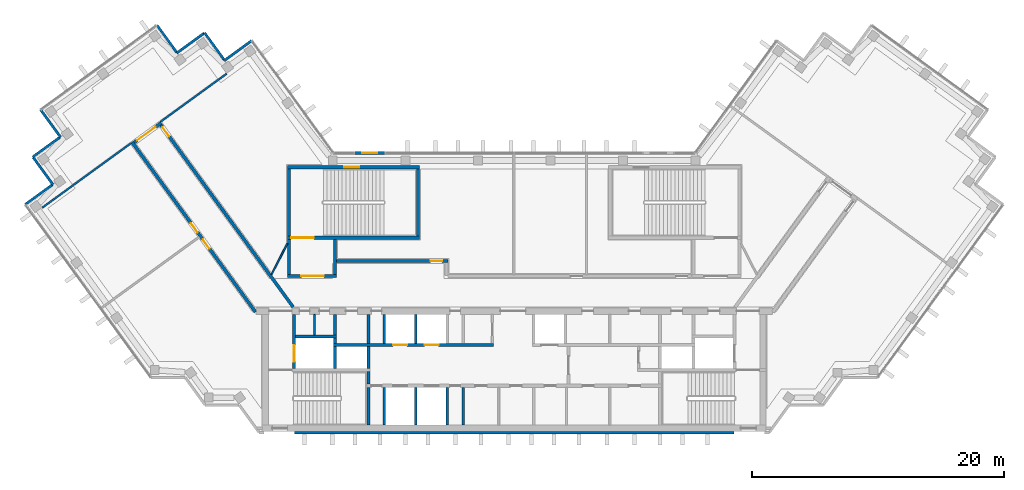
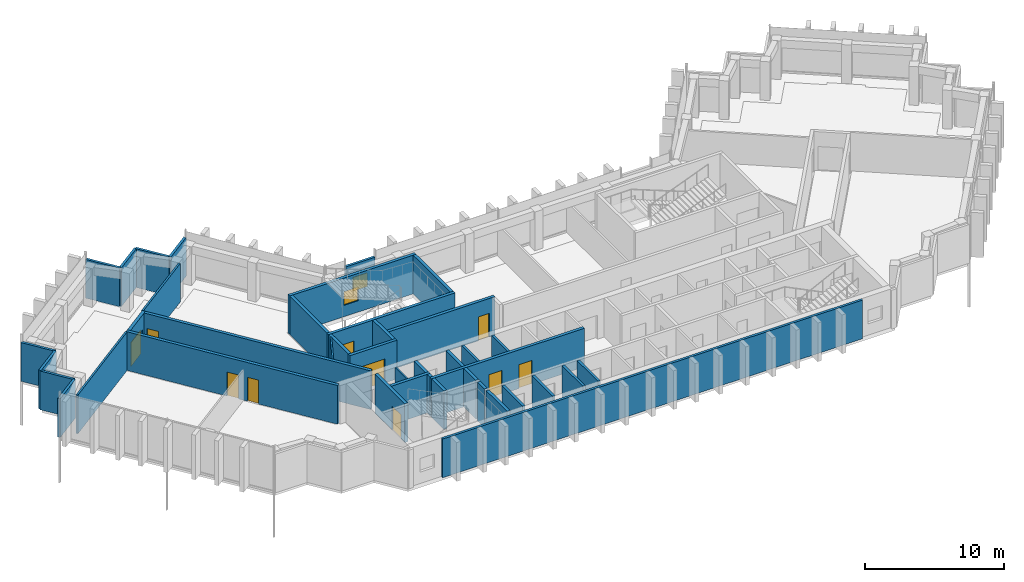
# One storey, part 8 of 13: 41 walls, 10 doors, 2 windows, 12 openings.
"""IFC4 building model written with IfcOpenShell, lengths in metres."""

from ifc_helpers import new_model, si_unit, direction, frame, frame_2d, origin, place, context, subcontext, project, spatial, rectangle, extrude, material, layer, layer_set, type_object, element, fill, save


model = new_model("IFC4")

# Units and contexts
model_context = context("Model", 3, precision=1e-05, world=origin(), true_north=direction((0.0, 1.0)))
body_context = subcontext(model_context, "Body", "Model", "MODEL_VIEW")
ifc_project = project(units=[si_unit("LENGTHUNIT", "METRE"), si_unit("AREAUNIT", "SQUARE_METRE"), si_unit("VOLUMEUNIT", "CUBIC_METRE"), si_unit("PLANEANGLEUNIT", "RADIAN"), si_unit("MASSUNIT", "GRAM", prefix="KILO")], contexts=[model_context])

# Site, building, storey
site_placement = place(None, origin())
site = spatial("IfcSite", under=ifc_project, at=site_placement, CompositionType="ELEMENT")
building_placement = place(site_placement, origin())
building = spatial("IfcBuilding", under=site, at=building_placement, Name="Quipu Civic Tower", CompositionType="ELEMENT")
storey_placement = place(building_placement, frame((0.0, 0.0, 297.0)))
storey = spatial("IfcBuildingStorey", under=building, at=storey_placement, Name="L69", CompositionType="ELEMENT", Elevation=297.0)

# Walls
ifc_material_1 = material(Name="Double gypsum plasterboard with mineral wool")
ifc_layer_1 = layer(ifc_material_1, 0.14990234375)
ifc_layer_set_1 = layer_set([ifc_layer_1], Name="Double gypsum plasterboard with mineral wool")
wall_type_1 = type_object("IfcWallType", Name="Acoustic partition 150 plasterboard", PredefinedType="PARTITIONING", material=ifc_layer_set_1)
wall_1_placement = place(storey_placement, frame((-22.818359375, 17.39599609375, 0.0), z_axis=(0.0, 0.0, 1.0), x_axis=(-0.809000932727, -0.587807358619, 0.0)))
element("IfcWall", 1, at=wall_1_placement, inside=storey, type_object=wall_type_1, Name="Partition P03", PredefinedType="PARTITIONING", context=body_context, shape_type="SweptSolid", body=[
    extrude(rectangle(XDim=6.49560546875, YDim=0.14990234375, at=frame_2d((3.247802734375, 0.0))), origin(), (0.0, 0.0, 1.0), 3.39990234375),
])
wall_2_placement = place(storey_placement, frame((-30.419189453125, 11.873779296875, 0.0), z_axis=(0.0, 0.0, 1.0), x_axis=(-0.809016295501, -0.587786214209, 0.0)))
element("IfcWall", 2, at=wall_2_placement, inside=storey, type_object=wall_type_1, Name="Partition P06", PredefinedType="PARTITIONING", context=body_context, shape_type="SweptSolid", body=[
    extrude(rectangle(XDim=8.700439453125, YDim=0.14990234375, at=frame_2d((4.35009765625, 0.0))), origin(), (0.0, 0.0, 1.0), 3.39990234375),
])
ifc_material_2 = material(Name="Concrete C70/85", Category="concrete")
ifc_layer_2 = layer(ifc_material_2, 0.25)
ifc_layer_set_2 = layer_set([ifc_layer_2], Name="Concrete C70/85")
wall_type_2 = type_object("IfcWallType", Name="Core wall 250", PredefinedType="SHEAR", material=ifc_layer_set_2)
wall_3_placement = place(storey_placement, frame((-11.574951171875, -10.5, 0.0), z_axis=(0.0, 0.0, 1.0), x_axis=(0.0, 1.0, 0.0)))
element("IfcWall", 3, at=wall_3_placement, inside=storey, type_object=wall_type_2, Name="Core wall", PredefinedType="SHEAR", context=body_context, shape_type="SweptSolid", body=[
    extrude(rectangle(XDim=3.0, YDim=0.25, at=frame_2d((1.5, 0.0))), origin(), (0.0, 0.0, 1.0), 3.39990234375),
])
wall_4_placement = place(storey_placement, frame((-11.574951171875, -7.25, 0.0), z_axis=(0.0, 0.0, 1.0), x_axis=(0.0, 1.0, 0.0)))
element("IfcWall", 4, at=wall_4_placement, inside=storey, type_object=wall_type_2, Name="Core wall", PredefinedType="SHEAR", context=body_context, shape_type="SweptSolid", body=[
    extrude(rectangle(XDim=1.0, YDim=0.25, at=frame_2d((0.5, 0.0))), origin(), (0.0, 0.0, 1.0), 3.39990234375),
])

# Wall, opening, door
wall_5_placement = place(storey_placement, frame((-17.47509765625, -6.0, 0.0), z_axis=(0.0, 0.0, 1.0), x_axis=(0.0, 1.0, 0.0)))
wall_5 = element("IfcWall", 5, at=wall_5_placement, inside=storey, type_object=wall_type_2, Name="Core wall", PredefinedType="SHEAR", context=body_context, shape_type="SweptSolid", body=[
    extrude(rectangle(XDim=4.300048828125, YDim=0.25, at=frame_2d((2.14990234375, 0.0))), origin(), (0.0, 0.0, 1.0), 3.39990234375),
])
opening_1_placement = place(wall_5_placement, frame((0.550048828125, 0.0, 0.0)))
opening_1 = element("IfcOpeningElement", 6, at=opening_1_placement, cuts=wall_5, Name="Opening LD-FF1", PredefinedType="OPENING", context=body_context, shape_type="SweptSolid", body=[
    extrude(rectangle(XDim=1.300048828125, YDim=2.10009765625, at=frame_2d((0.64990234375, 1.050048828125))), frame((0.0, 0.135009765625, 0.0), z_axis=(0.0, -1.0, 0.0), x_axis=(1.0, 0.0, 0.0)), (0.0, 0.0, 1.0), 0.27001953125),
])
ifc_material_3 = material(Name="Stainless steel", Category="steel")
door_type_1 = type_object("IfcDoorType", Name="Lift landing door 1300 x 2100", OperationType="DOUBLE_DOOR_SLIDING", PredefinedType="DOOR", material=ifc_material_3)
door_1_placement = place(opening_1_placement, origin())
door_1 = element("IfcDoor", 7, at=door_1_placement, inside=storey, type_object=door_type_1, Name="Landing door FF1", OperationType="DOUBLE_DOOR_SLIDING", OverallHeight=2.10009765625, OverallWidth=1.300048828125, PredefinedType="DOOR", context=body_context, shape_type="SweptSolid", body=[
    extrude(rectangle(XDim=1.300048828125, YDim=2.10009765625, at=frame_2d((0.64990234375, 1.050048828125))), frame((0.0, 0.02490234375, 0.0), z_axis=(0.0, -1.0, 0.0), x_axis=(1.0, 0.0, 0.0)), (0.0, 0.0, 1.0), 0.050048828125),
])
fill(opening_1, door_1)

# Walls
for number, where, z_axis, x_axis, name in (
    (8, (-14.22509765625, -6.0, 0.0), (0.0, 0.0, 1.0), (0.0, 1.0, 0.0), "Core wall"),
    (9, (-11.574951171875, -6.0, 0.0), (0.0, 0.0, 1.0), (0.0, 1.0, 0.0), "Core wall"),
):
    element("IfcWall", number, at=place(storey_placement, frame(where, z_axis=z_axis, x_axis=x_axis)), inside=storey, type_object=wall_type_2, Name=name, PredefinedType="SHEAR", context=body_context, shape_type="SweptSolid", body=[
        extrude(rectangle(XDim=1.75, YDim=0.25, at=frame_2d((0.875, 0.0))), origin(), (0.0, 0.0, 1.0), 3.39990234375),
    ])

# Wall, openings, doors
wall_6_placement = place(storey_placement, frame((-14.35009765625, -4.125, 0.0), z_axis=(0.0, 0.0, 1.0), x_axis=(1.0, 0.0, 0.0)))
wall_6 = element("IfcWall", 10, at=wall_6_placement, inside=storey, type_object=wall_type_2, Name="Core wall", PredefinedType="SHEAR", context=body_context, shape_type="SweptSolid", body=[
    extrude(rectangle(XDim=12.7001953125, YDim=0.25, at=frame_2d((6.35009765625, 0.0))), origin(), (0.0, 0.0, 1.0), 3.39990234375),
])
opening_2_placement = place(wall_6_placement, frame((4.75, 0.0, 0.0)))
opening_2 = element("IfcOpeningElement", 11, at=opening_2_placement, cuts=wall_6, Name="Opening LD-HL3", PredefinedType="OPENING", context=body_context, shape_type="SweptSolid", body=[
    extrude(rectangle(XDim=1.10009765625, YDim=2.10009765625, at=frame_2d((0.550048828125, 1.050048828125))), frame((0.0, 0.135009765625, 0.0), z_axis=(0.0, -1.0, 0.0), x_axis=(1.0, 0.0, 0.0)), (0.0, 0.0, 1.0), 0.27001953125),
])
opening_3_placement = place(wall_6_placement, frame((7.25, 0.0, 0.0)))
opening_3 = element("IfcOpeningElement", 12, at=opening_3_placement, cuts=wall_6, Name="Opening LD-HL4", PredefinedType="OPENING", context=body_context, shape_type="SweptSolid", body=[
    extrude(rectangle(XDim=1.10009765625, YDim=2.10009765625, at=frame_2d((0.550048828125, 1.050048828125))), frame((0.0, 0.135009765625, 0.0), z_axis=(0.0, -1.0, 0.0), x_axis=(1.0, 0.0, 0.0)), (0.0, 0.0, 1.0), 0.27001953125),
])
ifc_material_4 = material(Name="Stainless steel", Category="steel")
door_type_2 = type_object("IfcDoorType", Name="Lift landing door 1100 x 2100", OperationType="DOUBLE_DOOR_SLIDING", PredefinedType="DOOR", material=ifc_material_4)
door_2_placement = place(opening_2_placement, origin())
door_2 = element("IfcDoor", 13, at=door_2_placement, inside=storey, type_object=door_type_2, Name="Landing door HL3", OperationType="DOUBLE_DOOR_SLIDING", OverallHeight=2.10009765625, OverallWidth=1.10009765625, PredefinedType="DOOR", context=body_context, shape_type="SweptSolid", body=[
    extrude(rectangle(XDim=1.10009765625, YDim=2.10009765625, at=frame_2d((0.550048828125, 1.050048828125))), frame((0.0, 0.02490234375, 0.0), z_axis=(0.0, -1.0, 0.0), x_axis=(1.0, 0.0, 0.0)), (0.0, 0.0, 1.0), 0.050048828125),
])
fill(opening_2, door_2)
door_3_placement = place(opening_3_placement, origin())
door_3 = element("IfcDoor", 14, at=door_3_placement, inside=storey, type_object=door_type_2, Name="Landing door HL4", OperationType="DOUBLE_DOOR_SLIDING", OverallHeight=2.10009765625, OverallWidth=1.10009765625, PredefinedType="DOOR", context=body_context, shape_type="SweptSolid", body=[
    extrude(rectangle(XDim=1.10009765625, YDim=2.10009765625, at=frame_2d((0.550048828125, 1.050048828125))), frame((0.0, 0.02490234375, 0.0), z_axis=(0.0, -1.0, 0.0), x_axis=(1.0, 0.0, 0.0)), (0.0, 0.0, 1.0), 0.050048828125),
])
fill(opening_3, door_3)

# Walls
wall_7_placement = place(storey_placement, frame((-14.22509765625, -4.0, 0.0), z_axis=(0.0, 0.0, 1.0), x_axis=(0.0, 1.0, 0.0)))
element("IfcWall", 15, at=wall_7_placement, inside=storey, type_object=wall_type_2, Name="Core wall", PredefinedType="SHEAR", context=body_context, shape_type="SweptSolid", body=[
    extrude(rectangle(XDim=0.39990234375, YDim=0.25, at=frame_2d((0.199951171875, 0.0))), origin(), (0.0, 0.0, 1.0), 3.39990234375),
])
wall_8_placement = place(storey_placement, frame((-11.574951171875, -4.0, 0.0), z_axis=(0.0, 0.0, 1.0), x_axis=(0.0, 1.0, 0.0)))
element("IfcWall", 16, at=wall_8_placement, inside=storey, type_object=wall_type_2, Name="Core wall", PredefinedType="SHEAR", context=body_context, shape_type="SweptSolid", body=[
    extrude(rectangle(XDim=2.300048828125, YDim=0.25, at=frame_2d((1.14990234375, 0.0))), origin(), (0.0, 0.0, 1.0), 3.39990234375),
])
wall_9_placement = place(storey_placement, frame((-17.35009765625, -3.47509765625, 0.0), z_axis=(0.0, 0.0, 1.0), x_axis=(1.0, 0.0, 0.0)))
element("IfcWall", 17, at=wall_9_placement, inside=storey, type_object=wall_type_2, Name="Core wall", PredefinedType="SHEAR", context=body_context, shape_type="SweptSolid", body=[
    extrude(rectangle(XDim=3.25, YDim=0.25, at=frame_2d((1.625, 0.0))), origin(), (0.0, 0.0, 1.0), 3.39990234375),
])
wall_10_placement = place(storey_placement, frame((-14.22509765625, -3.35009765625, 0.0), z_axis=(0.0, 0.0, 1.0), x_axis=(0.0, 1.0, 0.0)))
element("IfcWall", 18, at=wall_10_placement, inside=storey, type_object=wall_type_2, Name="Core wall", PredefinedType="SHEAR", context=body_context, shape_type="SweptSolid", body=[
    extrude(rectangle(XDim=1.650146484375, YDim=0.25, at=frame_2d((0.8251953125, 0.0))), origin(), (0.0, 0.0, 1.0), 3.39990234375),
])

# Wall, opening, door
wall_11_placement = place(storey_placement, frame((-18.0, 1.324951171875, 0.0), z_axis=(0.0, 0.0, 1.0), x_axis=(1.0, 0.0, 0.0)))
wall_11 = element("IfcWall", 19, at=wall_11_placement, inside=storey, type_object=wall_type_2, Name="Core wall", PredefinedType="SHEAR", context=body_context, shape_type="SweptSolid", body=[
    extrude(rectangle(XDim=3.89990234375, YDim=0.25, at=frame_2d((1.949951171875, 0.0))), origin(), (0.0, 0.0, 1.0), 3.39990234375),
])
opening_4_placement = place(wall_11_placement, frame((1.10009765625, 0.0, 0.0)))
opening_4 = element("IfcOpeningElement", 20, at=opening_4_placement, cuts=wall_11, Name="Opening CD-25", PredefinedType="OPENING", context=body_context, shape_type="SweptSolid", body=[
    extrude(rectangle(XDim=1.800048828125, YDim=2.10009765625, at=frame_2d((0.89990234375, 1.050048828125))), frame((0.0, 0.135009765625, 0.0), z_axis=(0.0, -1.0, 0.0), x_axis=(1.0, 0.0, 0.0)), (0.0, 0.0, 1.0), 0.27001953125),
])
ifc_material_5 = material(Name="Fire rated steel door", Category="steel")
door_type_3 = type_object("IfcDoorType", Name="Fire door FD90 double 1800 x 2100", OperationType="NOTDEFINED", PredefinedType="DOOR", material=ifc_material_5)
door_4_placement = place(opening_4_placement, origin())
door_4 = element("IfcDoor", 21, at=door_4_placement, inside=storey, type_object=door_type_3, Name="Lobby door", OperationType="DOUBLE_DOOR_SINGLE_SWING", OverallHeight=2.10009765625, OverallWidth=1.800048828125, PredefinedType="DOOR", context=body_context, shape_type="SweptSolid", body=[
    extrude(rectangle(XDim=1.800048828125, YDim=2.10009765625, at=frame_2d((0.89990234375, 1.050048828125))), frame((0.0, 0.02490234375, 0.0), z_axis=(0.0, -1.0, 0.0), x_axis=(1.0, 0.0, 0.0)), (0.0, 0.0, 1.0), 0.050048828125),
])
fill(opening_4, door_4)

# Walls
for number, where, z_axis, x_axis, name in (
    (22, (-17.875, 1.449951171875, 0.0), (0.0, 0.0, 1.0), (0.0, 1.0, 0.0), "Core wall"),
    (23, (-14.22509765625, 1.449951171875, 0.0), (0.0, 0.0, 1.0), (0.0, 1.0, 0.0), "Core wall"),
):
    element("IfcWall", number, at=place(storey_placement, frame(where, z_axis=z_axis, x_axis=x_axis)), inside=storey, type_object=wall_type_2, Name=name, PredefinedType="SHEAR", context=body_context, shape_type="SweptSolid", body=[
        extrude(rectangle(XDim=2.800048828125, YDim=0.25, at=frame_2d((1.39990234375, 0.0))), origin(), (0.0, 0.0, 1.0), 3.39990234375),
    ])

# Wall, opening, door
wall_12_placement = place(storey_placement, frame((-18.0, 4.375, 0.0), z_axis=(0.0, 0.0, 1.0), x_axis=(1.0, 0.0, 0.0)))
wall_12 = element("IfcWall", 24, at=wall_12_placement, inside=storey, type_object=wall_type_2, Name="Core wall", PredefinedType="SHEAR", context=body_context, shape_type="SweptSolid", body=[
    extrude(rectangle(XDim=10.5, YDim=0.25, at=frame_2d((5.25, 0.0))), origin(), (0.0, 0.0, 1.0), 3.39990234375),
])
opening_5_placement = place(wall_12_placement, frame((0.300048828125, 0.0, 0.0)))
opening_5 = element("IfcOpeningElement", 25, at=opening_5_placement, cuts=wall_12, Name="Opening CD-26", PredefinedType="OPENING", context=body_context, shape_type="SweptSolid", body=[
    extrude(rectangle(XDim=1.800048828125, YDim=2.10009765625, at=frame_2d((0.89990234375, 1.050048828125))), frame((0.0, 0.135009765625, 0.0), z_axis=(0.0, -1.0, 0.0), x_axis=(1.0, 0.0, 0.0)), (0.0, 0.0, 1.0), 0.27001953125),
])
door_5_placement = place(opening_5_placement, origin())
door_5 = element("IfcDoor", 26, at=door_5_placement, inside=storey, type_object=door_type_3, Name="Door", OperationType="DOUBLE_DOOR_SINGLE_SWING", OverallHeight=2.10009765625, OverallWidth=1.800048828125, PredefinedType="DOOR", context=body_context, shape_type="SweptSolid", body=[
    extrude(rectangle(XDim=1.800048828125, YDim=2.10009765625, at=frame_2d((0.89990234375, 1.050048828125))), frame((0.0, 0.02490234375, 0.0), z_axis=(0.0, -1.0, 0.0), x_axis=(1.0, 0.0, 0.0)), (0.0, 0.0, 1.0), 0.050048828125),
])
fill(opening_5, door_5)

# Walls
for number, where, z_axis, x_axis, name in (
    (27, (-17.875, 4.5, 0.0), (0.0, 0.0, 1.0), (0.0, 1.0, 0.0), "Core wall"),
    (28, (-7.625, 4.5, 0.0), (0.0, 0.0, 1.0), (0.0, 1.0, 0.0), "Core wall"),
):
    element("IfcWall", number, at=place(storey_placement, frame(where, z_axis=z_axis, x_axis=x_axis)), inside=storey, type_object=wall_type_2, Name=name, PredefinedType="SHEAR", context=body_context, shape_type="SweptSolid", body=[
        extrude(rectangle(XDim=5.35009765625, YDim=0.25, at=frame_2d((2.675048828125, 0.0))), origin(), (0.0, 0.0, 1.0), 3.39990234375),
    ])

# Wall, opening, window
wall_13_placement = place(storey_placement, frame((-18.0, 9.97509765625, 0.0), z_axis=(0.0, 0.0, 1.0), x_axis=(1.0, 0.0, 0.0)))
wall_13 = element("IfcWall", 29, at=wall_13_placement, inside=storey, type_object=wall_type_2, Name="Core wall", PredefinedType="SHEAR", context=body_context, shape_type="SweptSolid", body=[
    extrude(rectangle(XDim=10.5, YDim=0.25, at=frame_2d((5.25, 0.0))), origin(), (0.0, 0.0, 1.0), 3.39990234375),
])
opening_6_placement = place(wall_13_placement, frame((4.5, 0.0, 1.0)))
opening_6 = element("IfcOpeningElement", 30, at=opening_6_placement, cuts=wall_13, Name="Opening SV-3", PredefinedType="OPENING", context=body_context, shape_type="SweptSolid", body=[
    extrude(rectangle(XDim=1.199951171875, YDim=1.199951171875, at=frame_2d((0.60009765625, 0.60009765625))), frame((0.0, 0.135009765625, 0.0), z_axis=(0.0, -1.0, 0.0), x_axis=(1.0, 0.0, 0.0)), (0.0, 0.0, 1.0), 0.27001953125),
])
ifc_material_6 = material(Name="Aluminium louvre", Category="aluminium")
window_type_1 = type_object("IfcWindowType", Name="Stair ventilation louvre 1200 x 1200", PartitioningType="SINGLE_PANEL", PredefinedType="WINDOW", material=ifc_material_6)
window_1_placement = place(opening_6_placement, origin())
window_1 = element("IfcWindow", 31, at=window_1_placement, inside=storey, type_object=window_type_1, Name="Stair ventilation opening", OverallHeight=1.199951171875, OverallWidth=1.199951171875, PartitioningType="SINGLE_PANEL", PredefinedType="WINDOW", context=body_context, shape_type="SweptSolid", body=[
    extrude(rectangle(XDim=1.199951171875, YDim=1.199951171875, at=frame_2d((0.60009765625, 0.60009765625))), frame((0.0, 0.030029296875, 0.0), z_axis=(0.0, -1.0, 0.0), x_axis=(1.0, 0.0, 0.0)), (0.0, 0.0, 1.0), 0.06005859375),
])
fill(opening_6, window_1)

# Wall, openings, doors
ifc_material_7 = material(Name="Concrete C50/60", Category="concrete")
ifc_layer_3 = layer(ifc_material_7, 0.25)
ifc_layer_set_3 = layer_set([ifc_layer_3], Name="Concrete C50/60")
wall_type_3 = type_object("IfcWallType", Name="Corridor wall 250 concrete", PredefinedType="SOLIDWALL", material=ifc_layer_set_3)
wall_14_placement = place(storey_placement, frame((-20.531005859375, -1.5234375, 0.0), z_axis=(0.0, 0.0, 1.0), x_axis=(-0.587785867777, 0.809016547199, 0.0)))
wall_14 = element("IfcWall", 32, at=wall_14_placement, inside=storey, type_object=wall_type_3, Name="Corridor wall C04", PredefinedType="SOLIDWALL", context=body_context, shape_type="SweptSolid", body=[
    extrude(rectangle(XDim=16.67041015625, YDim=0.25, at=frame_2d((8.335205078125, 0.0))), origin(), (0.0, 0.0, 1.0), 3.39990234375),
])
opening_7_placement = place(wall_14_placement, frame((6.2158203125, 0.0, 0.0)))
opening_7 = element("IfcOpeningElement", 33, at=opening_7_placement, cuts=wall_14, Name="Opening D009", PredefinedType="OPENING", context=body_context, shape_type="SweptSolid", body=[
    extrude(rectangle(XDim=0.89990234375, YDim=2.10009765625, at=frame_2d((0.449951171875, 1.050048828125))), frame((0.0, 0.135009765625, 0.0), z_axis=(0.0, -1.0, 0.0), x_axis=(1.0, 0.0, 0.0)), (0.0, 0.0, 1.0), 0.27001953125),
])
opening_8_placement = place(wall_14_placement, frame((7.81591796875, 0.0, 0.0)))
opening_8 = element("IfcOpeningElement", 34, at=opening_8_placement, cuts=wall_14, Name="Opening D008", PredefinedType="OPENING", context=body_context, shape_type="SweptSolid", body=[
    extrude(rectangle(XDim=0.89990234375, YDim=2.10009765625, at=frame_2d((0.449951171875, 1.050048828125))), frame((0.0, 0.135009765625, 0.0), z_axis=(0.0, -1.0, 0.0), x_axis=(1.0, 0.0, 0.0)), (0.0, 0.0, 1.0), 0.27001953125),
])
ifc_material_8 = material(Name="Fire rated timber door set with metal frame", Category="wood")
door_type_4 = type_object("IfcDoorType", Name="Single door 900 x 2100 FD60", OperationType="NOTDEFINED", PredefinedType="DOOR", material=ifc_material_8)
door_6_placement = place(opening_7_placement, origin())
door_6 = element("IfcDoor", 35, at=door_6_placement, inside=storey, type_object=door_type_4, Name="Door D009", OperationType="SINGLE_SWING_RIGHT", OverallHeight=2.10009765625, OverallWidth=0.89990234375, PredefinedType="DOOR", context=body_context, shape_type="SweptSolid", body=[
    extrude(rectangle(XDim=0.89990234375, YDim=2.10009765625, at=frame_2d((0.449951171875, 1.050048828125))), frame((0.0, 0.02490234375, 0.0), z_axis=(0.0, -1.0, 0.0), x_axis=(1.0, 0.0, 0.0)), (0.0, 0.0, 1.0), 0.050048828125),
])
fill(opening_7, door_6)
door_7_placement = place(opening_8_placement, origin())
door_7 = element("IfcDoor", 36, at=door_7_placement, inside=storey, type_object=door_type_4, Name="Door D008", OperationType="SINGLE_SWING_LEFT", OverallHeight=2.10009765625, OverallWidth=0.89990234375, PredefinedType="DOOR", context=body_context, shape_type="SweptSolid", body=[
    extrude(rectangle(XDim=0.89990234375, YDim=2.10009765625, at=frame_2d((0.449951171875, 1.050048828125))), frame((0.0, 0.02490234375, 0.0), z_axis=(0.0, -1.0, 0.0), x_axis=(1.0, 0.0, 0.0)), (0.0, 0.0, 1.0), 0.050048828125),
])
fill(opening_8, door_7)

# Wall, opening, door
wall_15_placement = place(storey_placement, frame((-30.155029296875, 11.935546875, 0.0), z_axis=(0.0, 0.0, 1.0), x_axis=(0.809038743598, 0.587755315891, 0.0)))
wall_15 = element("IfcWall", 37, at=wall_15_placement, inside=storey, type_object=wall_type_3, Name="Corridor wall C05", PredefinedType="SOLIDWALL", context=body_context, shape_type="SweptSolid", body=[
    extrude(rectangle(XDim=2.650146484375, YDim=0.25, at=frame_2d((1.3251953125, 0.0))), origin(), (0.0, 0.0, 1.0), 3.39990234375),
])
opening_9_placement = place(wall_15_placement, frame((0.2998046875, 0.0, 0.0)))
opening_9 = element("IfcOpeningElement", 38, at=opening_9_placement, cuts=wall_15, Name="Opening D010", PredefinedType="OPENING", context=body_context, shape_type="SweptSolid", body=[
    extrude(rectangle(XDim=1.800048828125, YDim=2.10009765625, at=frame_2d((0.89990234375, 1.050048828125))), frame((0.0, 0.135009765625, 0.0), z_axis=(0.0, -1.0, 0.0), x_axis=(1.0, 0.0, 0.0)), (0.0, 0.0, 1.0), 0.27001953125),
])
ifc_material_9 = material(Name="Fire rated timber door set with metal frame", Category="wood")
door_type_5 = type_object("IfcDoorType", Name="Double door 1800 x 2100 FD60", OperationType="DOUBLE_DOOR_SINGLE_SWING", PredefinedType="DOOR", material=ifc_material_9)
door_8_placement = place(opening_9_placement, origin())
door_8 = element("IfcDoor", 39, at=door_8_placement, inside=storey, type_object=door_type_5, Name="Door D010", OperationType="DOUBLE_DOOR_SINGLE_SWING", OverallHeight=2.10009765625, OverallWidth=1.800048828125, PredefinedType="DOOR", context=body_context, shape_type="SweptSolid", body=[
    extrude(rectangle(XDim=1.800048828125, YDim=2.10009765625, at=frame_2d((0.89990234375, 1.050048828125))), frame((0.0, 0.02490234375, 0.0), z_axis=(0.0, -1.0, 0.0), x_axis=(1.0, 0.0, 0.0)), (0.0, 0.0, 1.0), 0.050048828125),
])
fill(opening_9, door_8)

wall_16_placement = place(storey_placement, frame((-28.038818359375, 13.318603515625, 0.0), z_axis=(0.0, 0.0, 1.0), x_axis=(0.587791911753, -0.809012155952, 0.0)))
wall_16 = element("IfcWall", 40, at=wall_16_placement, inside=storey, type_object=wall_type_3, Name="Corridor wall C06", PredefinedType="SOLIDWALL", context=body_context, shape_type="SweptSolid", body=[
    extrude(rectangle(XDim=17.85302734375, YDim=0.25, at=frame_2d((8.926513671875, 0.0))), origin(), (0.0, 0.0, 1.0), 3.39990234375),
])
opening_10_placement = place(wall_16_placement, frame((0.224853515625, 0.0, 0.0)))
opening_10 = element("IfcOpeningElement", 41, at=opening_10_placement, cuts=wall_16, Name="Opening D007", PredefinedType="OPENING", context=body_context, shape_type="SweptSolid", body=[
    extrude(rectangle(XDim=0.89990234375, YDim=2.10009765625, at=frame_2d((0.449951171875, 1.050048828125))), frame((0.0, 0.135009765625, 0.0), z_axis=(0.0, -1.0, 0.0), x_axis=(1.0, 0.0, 0.0)), (0.0, 0.0, 1.0), 0.27001953125),
])
door_9_placement = place(opening_10_placement, origin())
door_9 = element("IfcDoor", 42, at=door_9_placement, inside=storey, type_object=door_type_4, Name="Door D007", OperationType="SINGLE_SWING_LEFT", OverallHeight=2.10009765625, OverallWidth=0.89990234375, PredefinedType="DOOR", context=body_context, shape_type="SweptSolid", body=[
    extrude(rectangle(XDim=0.89990234375, YDim=2.10009765625, at=frame_2d((0.449951171875, 1.050048828125))), frame((0.0, 0.02490234375, 0.0), z_axis=(0.0, -1.0, 0.0), x_axis=(1.0, 0.0, 0.0)), (0.0, 0.0, 1.0), 0.050048828125),
])
fill(opening_10, door_9)

wall_17_placement = place(storey_placement, frame((-14.090087890625, 2.52490234375, 0.0), z_axis=(0.0, 0.0, 1.0), x_axis=(1.0, 0.0, 0.0)))
wall_17 = element("IfcWall", 43, at=wall_17_placement, inside=storey, type_object=wall_type_3, Name="Corridor wall C07", PredefinedType="SOLIDWALL", context=body_context, shape_type="SweptSolid", body=[
    extrude(rectangle(XDim=8.840087890625, YDim=0.25, at=frame_2d((4.419921875, 0.0))), origin(), (0.0, 0.0, 1.0), 3.39990234375),
])
opening_11_placement = place(wall_17_placement, frame((7.466064453125, 0.0, 0.0)))
opening_11 = element("IfcOpeningElement", 44, at=opening_11_placement, cuts=wall_17, Name="Opening D004", PredefinedType="OPENING", context=body_context, shape_type="SweptSolid", body=[
    extrude(rectangle(XDim=0.89990234375, YDim=2.10009765625, at=frame_2d((0.449951171875, 1.050048828125))), frame((0.0, 0.135009765625, 0.0), z_axis=(0.0, -1.0, 0.0), x_axis=(1.0, 0.0, 0.0)), (0.0, 0.0, 1.0), 0.27001953125),
])
door_10_placement = place(opening_11_placement, origin())
door_10 = element("IfcDoor", 45, at=door_10_placement, inside=storey, type_object=door_type_4, Name="Door D004", OperationType="SINGLE_SWING_RIGHT", OverallHeight=2.10009765625, OverallWidth=0.89990234375, PredefinedType="DOOR", context=body_context, shape_type="SweptSolid", body=[
    extrude(rectangle(XDim=0.89990234375, YDim=2.10009765625, at=frame_2d((0.449951171875, 1.050048828125))), frame((0.0, 0.02490234375, 0.0), z_axis=(0.0, -1.0, 0.0), x_axis=(1.0, 0.0, 0.0)), (0.0, 0.0, 1.0), 0.050048828125),
])
fill(opening_11, door_10)

# Walls
ifc_material_10 = material(Name="Gypsum plasterboard on light gauge framing")
ifc_layer_4 = layer(ifc_material_10, 0.1201171875)
ifc_layer_set_4 = layer_set([ifc_layer_4], Name="Gypsum plasterboard on light gauge framing")
wall_type_4 = type_object("IfcWallType", Name="Partition 120 plasterboard", PredefinedType="PARTITIONING", material=ifc_layer_set_4)
wall_18_placement = place(storey_placement, frame((-19.260986328125, 1.449951171875, 0.0), z_axis=(0.0, 0.0, 1.0), x_axis=(0.453950796792, 0.891026752736, 0.0)))
element("IfcWall", 46, at=wall_18_placement, inside=storey, type_object=wall_type_4, Name="Partition P09", PredefinedType="PARTITIONING", context=body_context, shape_type="SweptSolid", body=[
    extrude(rectangle(XDim=2.77783203125, YDim=0.1201171875, at=frame_2d((1.388916015625, 0.0))), origin(), (0.0, 0.0, 1.0), 3.39990234375),
])
ifc_material_11 = material(Name="Gypsum board partition")
ifc_layer_5 = layer(ifc_material_11, 0.14990234375)
ifc_layer_set_5 = layer_set([ifc_layer_5], Name="Gypsum board partition")
wall_type_5 = type_object("IfcWallType", Name="Partition 150", PredefinedType="PARTITIONING", material=ifc_layer_set_5)
wall_19_placement = place(storey_placement, frame((-15.85009765625, -3.35009765625, 0.0), z_axis=(0.0, 0.0, 1.0), x_axis=(0.0, 1.0, 0.0)))
element("IfcWall", 47, at=wall_19_placement, inside=storey, type_object=wall_type_5, Name="Partition", PredefinedType="PARTITIONING", context=body_context, shape_type="SweptSolid", body=[
    extrude(rectangle(XDim=1.650146484375, YDim=0.14990234375, at=frame_2d((0.8251953125, 0.0))), origin(), (0.0, 0.0, 1.0), 3.39990234375),
])
ifc_material_12 = material(Name="Precast concrete C40/50", Category="concrete")
wall_type_6 = type_object("IfcWallType", Name="Precast cladding wall", PredefinedType="SOLIDWALL", material=ifc_material_12)
for number, where, z_axis, x_axis, name in (
    (48, (-20.828857421875, 20.025390625, 0.0), (0.0, 0.0, 1.0), (-0.808990163075, -0.587822180636, 0.0), "Precast cladding wall L69 P02"),
    (49, (-22.996337890625, 18.465576171875, 0.0), (0.0, 0.0, 1.0), (-0.587762999008, 0.809033161865, 0.0), "Precast cladding wall L69 P03"),
):
    element("IfcWall", number, at=place(storey_placement, frame(where, z_axis=z_axis, x_axis=x_axis)), inside=storey, type_object=wall_type_6, Name=name, PredefinedType="SOLIDWALL", context=body_context, shape_type="SweptSolid", body=[
        extrude(rectangle(XDim=2.699951171875, YDim=0.199951171875, at=frame_2d((1.35009765625, 0.0))), origin(), (0.0, 0.0, 1.0), 3.39990234375),
    ])
for number, where, z_axis, x_axis, name in (
    (50, (-24.60009765625, 20.62255859375, 0.0), (0.0, 0.0, 1.0), (-0.809064397168, -0.587720002413, 0.0), "Precast cladding wall L69 P04"),
    (51, (-26.767578125, 19.062744140625, 0.0), (0.0, 0.0, 1.0), (-0.587720002413, 0.809064397168, 0.0), "Precast cladding wall L69 P05"),
):
    element("IfcWall", number, at=place(storey_placement, frame(where, z_axis=z_axis, x_axis=x_axis)), inside=storey, type_object=wall_type_6, Name=name, PredefinedType="SOLIDWALL", context=body_context, shape_type="SweptSolid", body=[
        extrude(rectangle(XDim=2.7001953125, YDim=0.199951171875, at=frame_2d((1.35009765625, 0.0))), origin(), (0.0, 0.0, 1.0), 3.39990234375),
    ])
for number, where, z_axis, x_axis, name in (
    (52, (-37.591796875, 14.535888671875, 0.0), (0.0, 0.0, 1.0), (0.587762999008, -0.809033161865, 0.0), "Precast cladding wall L69 P07"),
    (53, (-36.031982421875, 12.36865234375, 0.0), (0.0, 0.0, 1.0), (-0.809033161865, -0.587762999008, 0.0), "Precast cladding wall L69 P08"),
    (54, (-38.189208984375, 10.7646484375, 0.0), (0.0, 0.0, 1.0), (0.587822180636, -0.808990163075, 0.0), "Precast cladding wall L69 P09"),
    (55, (-36.62939453125, 8.597412109375, 0.0), (0.0, 0.0, 1.0), (-0.809033161865, -0.587762999008, 0.0), "Precast cladding wall L69 P10"),
):
    element("IfcWall", number, at=place(storey_placement, frame(where, z_axis=z_axis, x_axis=x_axis)), inside=storey, type_object=wall_type_6, Name=name, PredefinedType="SOLIDWALL", context=body_context, shape_type="SweptSolid", body=[
        extrude(rectangle(XDim=2.699951171875, YDim=0.199951171875, at=frame_2d((1.35009765625, 0.0))), origin(), (0.0, 0.0, 1.0), 3.39990234375),
    ])
wall_20_placement = place(storey_placement, frame((-17.44384765625, -11.087890625, 0.0), z_axis=(0.0, 0.0, 1.0), x_axis=(1.0, 0.0, 0.0)))
element("IfcWall", 56, at=wall_20_placement, inside=storey, type_object=wall_type_6, Name="Precast cladding wall L69 P17", PredefinedType="SOLIDWALL", context=body_context, shape_type="SweptSolid", body=[
    extrude(rectangle(XDim=34.8876953125, YDim=0.199951171875, at=frame_2d((17.44384765625, 0.0))), origin(), (0.0, 0.0, 1.0), 3.39990234375),
])

# Wall, opening, window
wall_21_placement = place(storey_placement, frame((-10.263427734375, 11.10009765625, 0.0), z_axis=(0.0, 0.0, 1.0), x_axis=(-1.0, 0.0, 0.0)))
wall_21 = element("IfcWall", 57, at=wall_21_placement, inside=storey, type_object=wall_type_6, Name="Vent surround SF-L66-1", PredefinedType="SOLIDWALL", context=body_context, shape_type="SweptSolid", body=[
    extrude(rectangle(XDim=2.3916015625, YDim=0.199951171875, at=frame_2d((1.19580078125, 0.0))), origin(), (0.0, 0.0, 1.0), 3.39990234375),
])
opening_12_placement = place(wall_21_placement, frame((0.595703125, 0.0, 1.0)))
opening_12 = element("IfcOpeningElement", 58, at=opening_12_placement, cuts=wall_21, Name="Opening SF-L66-1", PredefinedType="OPENING", context=body_context, shape_type="SweptSolid", body=[
    extrude(rectangle(XDim=1.199951171875, YDim=1.199951171875, at=frame_2d((0.60009765625, 0.60009765625))), frame((0.0, 0.10986328125, 0.0), z_axis=(0.0, -1.0, 0.0), x_axis=(1.0, 0.0, 0.0)), (0.0, 0.0, 1.0), 0.219970703125),
])
ifc_material_13 = material(Name="Anodised aluminium louvre", Category="aluminium")
window_type_2 = type_object("IfcWindowType", Name="Stair vent louvre window P3", PartitioningType="SINGLE_PANEL", PredefinedType="WINDOW", material=ifc_material_13)
window_2_placement = place(opening_12_placement, origin())
window_2 = element("IfcWindow", 59, at=window_2_placement, inside=storey, type_object=window_type_2, Name="Stair vent louvre SF-L66-1", OverallHeight=1.199951171875, OverallWidth=1.199951171875, PartitioningType="SINGLE_PANEL", PredefinedType="WINDOW", context=body_context, shape_type="SweptSolid", body=[
    extrude(rectangle(XDim=1.199951171875, YDim=1.199951171875, at=frame_2d((0.60009765625, 0.60009765625))), frame((0.0, 0.030029296875, 0.0), z_axis=(0.0, -1.0, 0.0), x_axis=(1.0, 0.0, 0.0)), (0.0, 0.0, 1.0), 0.06005859375),
])
fill(opening_12, window_2)

# Walls
ifc_material_14 = material(Name="Concrete C40/50", Category="concrete")
ifc_layer_6 = layer(ifc_material_14, 0.199951171875)
ifc_layer_set_6 = layer_set([ifc_layer_6], Name="Concrete C40/50")
wall_type_7 = type_object("IfcWallType", Name="Shaft wall 200", PredefinedType="SOLIDWALL", material=ifc_layer_set_6)
for number, where, z_axis, x_axis, name in (
    (60, (-10.300048828125, -10.5, 0.0), (0.0, 0.0, 1.0), (0.0, 1.0, 0.0), "Shaft wall"),
    (61, (-7.800048828125, -10.5, 0.0), (0.0, 0.0, 1.0), (0.0, 1.0, 0.0), "Shaft wall"),
    (62, (-5.300048828125, -10.5, 0.0), (0.0, 0.0, 1.0), (0.0, 1.0, 0.0), "Shaft wall"),
    (63, (-4.050048828125, -10.5, 0.0), (0.0, 0.0, 1.0), (0.0, 1.0, 0.0), "Shaft wall"),
):
    element("IfcWall", number, at=place(storey_placement, frame(where, z_axis=z_axis, x_axis=x_axis)), inside=storey, type_object=wall_type_7, Name=name, PredefinedType="SOLIDWALL", context=body_context, shape_type="SweptSolid", body=[
        extrude(rectangle(XDim=3.0, YDim=0.199951171875, at=frame_2d((1.5, 0.0))), origin(), (0.0, 0.0, 1.0), 3.39990234375),
    ])
for number, where, z_axis, x_axis, name in (
    (64, (-10.300048828125, -4.0, 0.0), (0.0, 0.0, 1.0), (0.0, 1.0, 0.0), "Shaft wall"),
    (65, (-7.800048828125, -4.0, 0.0), (0.0, 0.0, 1.0), (0.0, 1.0, 0.0), "Shaft wall"),
):
    element("IfcWall", number, at=place(storey_placement, frame(where, z_axis=z_axis, x_axis=x_axis)), inside=storey, type_object=wall_type_7, Name=name, PredefinedType="SOLIDWALL", context=body_context, shape_type="SweptSolid", body=[
        extrude(rectangle(XDim=2.300048828125, YDim=0.199951171875, at=frame_2d((1.14990234375, 0.0))), origin(), (0.0, 0.0, 1.0), 3.39990234375),
    ])

save(model, "model.ifc")
